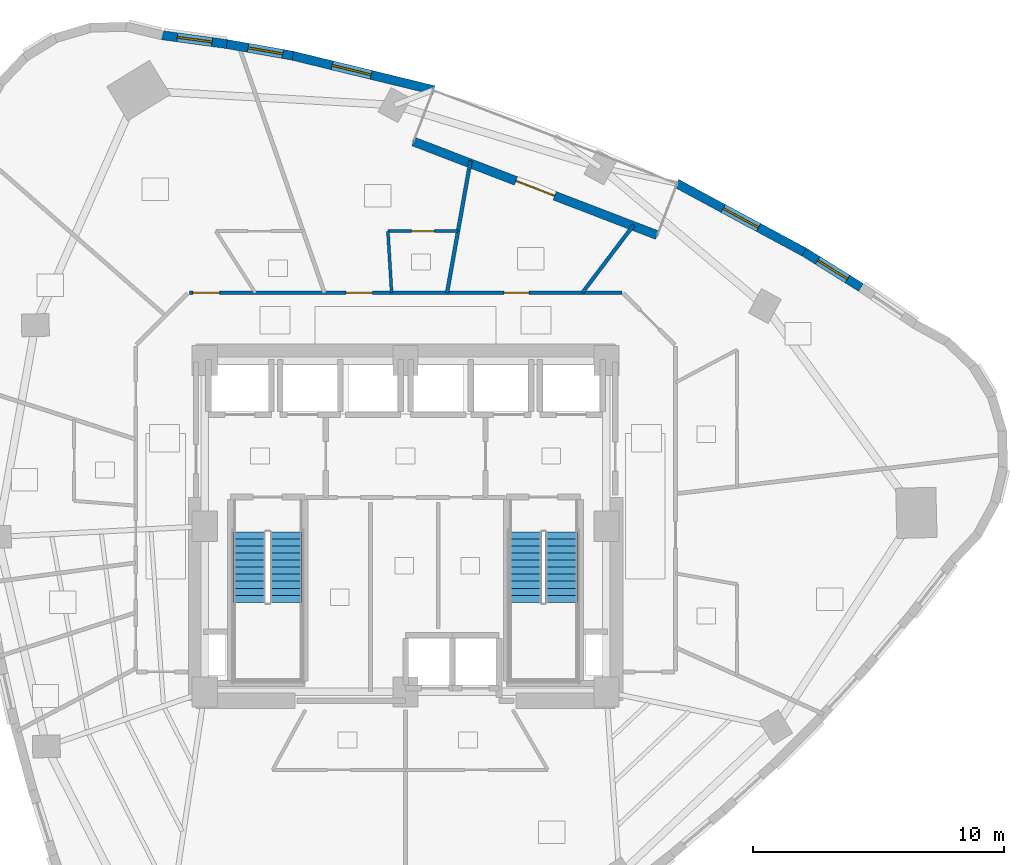
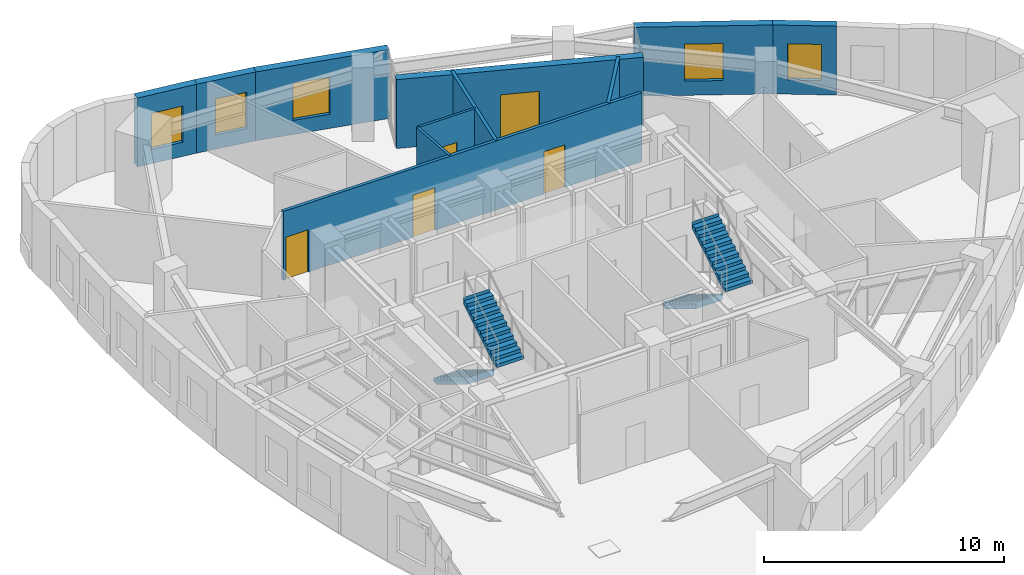
# One storey, part 9 of 12: 11 walls, 5 doors, 5 windows, 4 stair flights, 10 openings, 2 elements without a shape of their own.
"""IFC4 building model written with IfcOpenShell, lengths in metres."""

from ifc_helpers import new_model, si_unit, direction, frame, frame_2d, origin, place, context, subcontext, project, spatial, polyline, rectangle, outline, extrude, material, layer, layer_set, type_object, element, fill, aggregate, save


model = new_model("IFC4")

# Units and contexts
model_context = context("Model", 3, precision=1e-05, world=origin(), true_north=direction((0.0, 1.0)))
body_context = subcontext(model_context, "Body", "Model", "MODEL_VIEW")
ifc_project = project(units=[si_unit("LENGTHUNIT", "METRE"), si_unit("AREAUNIT", "SQUARE_METRE"), si_unit("VOLUMEUNIT", "CUBIC_METRE"), si_unit("PLANEANGLEUNIT", "RADIAN"), si_unit("MASSUNIT", "GRAM", prefix="KILO")], contexts=[model_context])

# Site, building, storey
site_placement = place(None, origin())
site = spatial("IfcSite", under=ifc_project, at=site_placement, CompositionType="ELEMENT")
building_placement = place(site_placement, origin())
building = spatial("IfcBuilding", under=site, at=building_placement, Name="Ndelora Gate Hotel", CompositionType="ELEMENT")
storey_placement = place(building_placement, frame((0.0, 0.0, 161.0)))
storey = spatial("IfcBuildingStorey", under=building, at=storey_placement, Name="L40", CompositionType="ELEMENT", Elevation=161.0)

# Wall, opening, door
ifc_material_1 = material(Name="Clay Brick Masonry", Category="masonry")
ifc_layer_1 = layer(ifc_material_1, 0.360107421875)
ifc_layer_set_1 = layer_set([ifc_layer_1], Name="Clay Brick Masonry")
wall_type_1 = type_object("IfcWallType", Name="WL-BRICK-360", PredefinedType="SOLIDWALL", material=ifc_layer_set_1)
wall_1_placement = place(storey_placement, frame((0.3115234375, 15.32177734375, 0.0), z_axis=(0.0, 0.0, 1.0), x_axis=(0.933571699069, -0.358390684445, 0.0)))
wall_1 = element("IfcWall", 1, at=wall_1_placement, inside=storey, type_object=wall_type_1, Name="L40 Sky-Garden Loggia Rear Brick Wall", PredefinedType="SOLIDWALL", context=body_context, shape_type="SweptSolid", body=[
    extrude(rectangle(XDim=10.400146484375, YDim=0.360107421875, at=frame_2d((5.2001953125, 0.0))), origin(), (0.0, 0.0, 1.0), 3.5),
])
opening_1_placement = place(wall_1_placement, frame((4.375, 0.0, 0.0)))
opening_1 = element("IfcOpeningElement", 2, at=opening_1_placement, cuts=wall_1, Name="Opening TD1", PredefinedType="OPENING", context=body_context, shape_type="SweptSolid", body=[
    extrude(rectangle(XDim=1.64990234375, YDim=2.25, at=frame_2d((0.824951171875, 1.125))), frame((0.0, 0.18994140625, 0.0), z_axis=(0.0, -1.0, 0.0), x_axis=(1.0, 0.0, 0.0)), (0.0, 0.0, 1.0), 0.380126953125),
])
ifc_material_2 = material(Name="Architectural Bronze Glazed Door", Category="metal")
door_type_1 = type_object("IfcDoorType", Name="DR-TER-1650", OperationType="DOUBLE_DOOR_SINGLE_SWING", PredefinedType="DOOR", material=ifc_material_2)
door_1_placement = place(opening_1_placement, origin())
door_1 = element("IfcDoor", 3, at=door_1_placement, inside=storey, type_object=door_type_1, Name="L40 Sky-Garden Terrace Double Door TD1", OperationType="DOUBLE_DOOR_SINGLE_SWING", OverallHeight=2.25, OverallWidth=1.64990234375, PredefinedType="DOOR", context=body_context, shape_type="SweptSolid", body=[
    extrude(rectangle(XDim=1.64990234375, YDim=2.25, at=frame_2d((0.824951171875, 1.125))), frame((0.0, 0.02490234375, 0.0), z_axis=(0.0, -1.0, 0.0), x_axis=(1.0, 0.0, 0.0)), (0.0, 0.0, 1.0), 0.050048828125),
])
fill(opening_1, door_1)

# Wall, opening, window
wall_2_placement = place(storey_placement, frame((15.87451171875, 10.923583984375, 0.0), z_axis=(0.0, 0.0, 1.0), x_axis=(0.848332062802, -0.529464551431, 0.0)))
wall_2 = element("IfcWall", 4, at=wall_2_placement, inside=storey, type_object=wall_type_1, Name="L40 Tower Brick Pier-and-Spandrel Wall TWR-50", PredefinedType="SOLIDWALL", context=body_context, shape_type="SweptSolid", body=[
    extrude(rectangle(XDim=2.669921875, YDim=0.360107421875, at=frame_2d((1.3349609375, 0.0))), origin(), (0.0, 0.0, 1.0), 3.5),
])
opening_2_placement = place(wall_2_placement, frame((0.635009765625, 0.0, 0.719970703125)))
opening_2 = element("IfcOpeningElement", 5, at=opening_2_placement, cuts=wall_2, Name="Opening W02", PredefinedType="OPENING", context=body_context, shape_type="SweptSolid", body=[
    extrude(rectangle(XDim=1.39990234375, YDim=1.840087890625, at=frame_2d((0.699951171875, 0.919921875))), frame((0.0, 0.18994140625, 0.0), z_axis=(0.0, -1.0, 0.0), x_axis=(1.0, 0.0, 0.0)), (0.0, 0.0, 1.0), 0.380126953125),
])
ifc_material_3 = material(Name="Insulated Low-E Double Glazing in Bronze Aluminium Frame", Category="aluminium")
window_type_1 = type_object("IfcWindowType", Name="WN-DEEP-1400", PartitioningType="SINGLE_PANEL", PredefinedType="WINDOW", material=ifc_material_3)
window_1_placement = place(opening_2_placement, origin())
window_1 = element("IfcWindow", 6, at=window_1_placement, inside=storey, type_object=window_type_1, Name="L40 Deep-Set Brick-Pier Window W02", OverallHeight=1.840087890625, OverallWidth=1.39990234375, PartitioningType="SINGLE_PANEL", PredefinedType="WINDOW", context=body_context, shape_type="SweptSolid", body=[
    extrude(rectangle(XDim=1.39990234375, YDim=1.840087890625, at=frame_2d((0.699951171875, 0.919921875))), frame((0.0, 0.030029296875, 0.0), z_axis=(0.0, -1.0, 0.0), x_axis=(1.0, 0.0, 0.0)), (0.0, 0.0, 1.0), 0.06005859375),
])
fill(opening_2, window_1)

wall_3_placement = place(storey_placement, frame((10.787109375, 13.660400390625, 0.0), z_axis=(0.0, 0.0, 1.0), x_axis=(0.880519529696, -0.474009871019, 0.0)))
wall_3 = element("IfcWall", 7, at=wall_3_placement, inside=storey, type_object=wall_type_1, Name="L40 Tower Brick Pier-and-Spandrel Wall TWR-51", PredefinedType="SOLIDWALL", context=body_context, shape_type="SweptSolid", body=[
    extrude(rectangle(XDim=5.826904296875, YDim=0.360107421875, at=frame_2d((2.91357421875, 0.0))), origin(), (0.0, 0.0, 1.0), 3.5),
])
opening_3_placement = place(wall_3_placement, frame((2.11328125, 0.0, 0.719970703125)))
opening_3 = element("IfcOpeningElement", 8, at=opening_3_placement, cuts=wall_3, Name="Opening W01", PredefinedType="OPENING", context=body_context, shape_type="SweptSolid", body=[
    extrude(rectangle(XDim=1.60009765625, YDim=1.8798828125, at=frame_2d((0.800048828125, 0.93994140625))), frame((0.0, 0.18994140625, 0.0), z_axis=(0.0, -1.0, 0.0), x_axis=(1.0, 0.0, 0.0)), (0.0, 0.0, 1.0), 0.380126953125),
])
window_type_2 = type_object("IfcWindowType", Name="WN-DEEP-1600", PartitioningType="SINGLE_PANEL", PredefinedType="WINDOW", material=ifc_material_3)
window_2_placement = place(opening_3_placement, origin())
window_2 = element("IfcWindow", 9, at=window_2_placement, inside=storey, type_object=window_type_2, Name="L40 Deep-Set Brick-Pier Window W01", OverallHeight=1.8798828125, OverallWidth=1.60009765625, PartitioningType="SINGLE_PANEL", PredefinedType="WINDOW", context=body_context, shape_type="SweptSolid", body=[
    extrude(rectangle(XDim=1.60009765625, YDim=1.8798828125, at=frame_2d((0.800048828125, 0.93994140625))), frame((0.0, 0.030029296875, 0.0), z_axis=(0.0, -1.0, 0.0), x_axis=(1.0, 0.0, 0.0)), (0.0, 0.0, 1.0), 0.06005859375),
])
fill(opening_3, window_2)

wall_4_placement = place(storey_placement, frame((-4.536865234375, 18.750244140625, 0.0), z_axis=(0.0, 0.0, 1.0), x_axis=(0.971526219703, -0.236932067122, 0.0)))
wall_4 = element("IfcWall", 10, at=wall_4_placement, inside=storey, type_object=wall_type_1, Name="L40 Tower Brick Pier-and-Spandrel Wall TWR-56", PredefinedType="SOLIDWALL", context=body_context, shape_type="SweptSolid", body=[
    extrude(rectangle(XDim=5.8271484375, YDim=0.360107421875, at=frame_2d((2.91357421875, 0.0))), origin(), (0.0, 0.0, 1.0), 3.5),
])
opening_4_placement = place(wall_4_placement, frame((1.659912109375, 0.0, 0.719970703125)))
opening_4 = element("IfcOpeningElement", 11, at=opening_4_placement, cuts=wall_4, Name="Opening W01", PredefinedType="OPENING", context=body_context, shape_type="SweptSolid", body=[
    extrude(rectangle(XDim=1.60009765625, YDim=1.8798828125, at=frame_2d((0.800048828125, 0.93994140625))), frame((0.0, 0.18994140625, 0.0), z_axis=(0.0, -1.0, 0.0), x_axis=(1.0, 0.0, 0.0)), (0.0, 0.0, 1.0), 0.380126953125),
])
window_3_placement = place(opening_4_placement, origin())
window_3 = element("IfcWindow", 12, at=window_3_placement, inside=storey, type_object=window_type_2, Name="L40 Deep-Set Brick-Pier Window W01", OverallHeight=1.8798828125, OverallWidth=1.60009765625, PartitioningType="SINGLE_PANEL", PredefinedType="WINDOW", context=body_context, shape_type="SweptSolid", body=[
    extrude(rectangle(XDim=1.60009765625, YDim=1.8798828125, at=frame_2d((0.800048828125, 0.93994140625))), frame((0.0, 0.030029296875, 0.0), z_axis=(0.0, -1.0, 0.0), x_axis=(1.0, 0.0, 0.0)), (0.0, 0.0, 1.0), 0.06005859375),
])
fill(opening_4, window_3)

wall_5_placement = place(storey_placement, frame((-7.11669921875, 19.205078125, 0.0), z_axis=(0.0, 0.0, 1.0), x_axis=(0.984708898385, -0.174207879961, 0.0)))
wall_5 = element("IfcWall", 13, at=wall_5_placement, inside=storey, type_object=wall_type_1, Name="L40 Tower Brick Pier-and-Spandrel Wall TWR-57", PredefinedType="SOLIDWALL", context=body_context, shape_type="SweptSolid", body=[
    extrude(rectangle(XDim=2.669677734375, YDim=0.360107421875, at=frame_2d((1.3349609375, 0.0))), origin(), (0.0, 0.0, 1.0), 3.5),
])
opening_5_placement = place(wall_5_placement, frame((0.860107421875, 0.0, 0.719970703125)))
opening_5 = element("IfcOpeningElement", 14, at=opening_5_placement, cuts=wall_5, Name="Opening W02", PredefinedType="OPENING", context=body_context, shape_type="SweptSolid", body=[
    extrude(rectangle(XDim=1.39990234375, YDim=1.840087890625, at=frame_2d((0.699951171875, 0.919921875))), frame((0.0, 0.18994140625, 0.0), z_axis=(0.0, -1.0, 0.0), x_axis=(1.0, 0.0, 0.0)), (0.0, 0.0, 1.0), 0.380126953125),
])
window_4_placement = place(opening_5_placement, origin())
window_4 = element("IfcWindow", 15, at=window_4_placement, inside=storey, type_object=window_type_1, Name="L40 Deep-Set Brick-Pier Window W02", OverallHeight=1.840087890625, OverallWidth=1.39990234375, PartitioningType="SINGLE_PANEL", PredefinedType="WINDOW", context=body_context, shape_type="SweptSolid", body=[
    extrude(rectangle(XDim=1.39990234375, YDim=1.840087890625, at=frame_2d((0.699951171875, 0.919921875))), frame((0.0, 0.030029296875, 0.0), z_axis=(0.0, -1.0, 0.0), x_axis=(1.0, 0.0, 0.0)), (0.0, 0.0, 1.0), 0.06005859375),
])
fill(opening_5, window_4)

wall_6_placement = place(storey_placement, frame((-9.734130859375, 19.562255859375, 0.0), z_axis=(0.0, 0.0, 1.0), x_axis=(0.990763260655, -0.135602954745, 0.0)))
wall_6 = element("IfcWall", 16, at=wall_6_placement, inside=storey, type_object=wall_type_1, Name="L40 Tower Brick Pier-and-Spandrel Wall TWR-58", PredefinedType="SOLIDWALL", context=body_context, shape_type="SweptSolid", body=[
    extrude(rectangle(XDim=2.691650390625, YDim=0.360107421875, at=frame_2d((1.345703125, 0.0))), origin(), (0.0, 0.0, 1.0), 3.5),
])
opening_6_placement = place(wall_6_placement, frame((0.645751953125, 0.0, 0.719970703125)))
opening_6 = element("IfcOpeningElement", 17, at=opening_6_placement, cuts=wall_6, Name="Opening W02", PredefinedType="OPENING", context=body_context, shape_type="SweptSolid", body=[
    extrude(rectangle(XDim=1.39990234375, YDim=1.840087890625, at=frame_2d((0.699951171875, 0.919921875))), frame((0.0, 0.18994140625, 0.0), z_axis=(0.0, -1.0, 0.0), x_axis=(1.0, 0.0, 0.0)), (0.0, 0.0, 1.0), 0.380126953125),
])
window_5_placement = place(opening_6_placement, origin())
window_5 = element("IfcWindow", 18, at=window_5_placement, inside=storey, type_object=window_type_1, Name="L40 Deep-Set Brick-Pier Window W02", OverallHeight=1.840087890625, OverallWidth=1.39990234375, PartitioningType="SINGLE_PANEL", PredefinedType="WINDOW", context=body_context, shape_type="SweptSolid", body=[
    extrude(rectangle(XDim=1.39990234375, YDim=1.840087890625, at=frame_2d((0.699951171875, 0.919921875))), frame((0.0, 0.030029296875, 0.0), z_axis=(0.0, -1.0, 0.0), x_axis=(1.0, 0.0, 0.0)), (0.0, 0.0, 1.0), 0.06005859375),
])
fill(opening_6, window_5)

# Wall, openings, doors
ifc_material_4 = material(Name="Fire-Rated Gypsum Stud Partition", Category="gypsum")
ifc_layer_2 = layer(ifc_material_4, 0.14990234375)
ifc_layer_set_2 = layer_set([ifc_layer_2], Name="Fire-Rated Gypsum Stud Partition")
wall_type_2 = type_object("IfcWallType", Name="WL-PART-150", PredefinedType="PARTITIONING", material=ifc_layer_set_2)
wall_7_placement = place(storey_placement, frame((-8.610107421875, 9.300048828125, 0.0), z_axis=(0.0, 0.0, 1.0), x_axis=(1.0, 0.0, 0.0)))
wall_7 = element("IfcWall", 19, at=wall_7_placement, inside=storey, type_object=wall_type_2, Name="L40 Interior Wall IW-5", PredefinedType="PARTITIONING", context=body_context, shape_type="SweptSolid", body=[
    extrude(rectangle(XDim=17.22021484375, YDim=0.14990234375, at=frame_2d((8.610107421875, 0.0))), origin(), (0.0, 0.0, 1.0), 3.5),
])
opening_7_placement = place(wall_7_placement, frame((12.526611328125, 0.0, 0.0)))
opening_7 = element("IfcOpeningElement", 20, at=opening_7_placement, cuts=wall_7, Name="Opening D01", PredefinedType="OPENING", context=body_context, shape_type="SweptSolid", body=[
    extrude(rectangle(XDim=1.0, YDim=2.14990234375, at=frame_2d((0.5, 1.074951171875))), frame((0.0, 0.0849609375, 0.0), z_axis=(0.0, -1.0, 0.0), x_axis=(1.0, 0.0, 0.0)), (0.0, 0.0, 1.0), 0.169921875),
])
opening_8_placement = place(wall_7_placement, frame((6.231201171875, 0.0, 0.0)))
opening_8 = element("IfcOpeningElement", 21, at=opening_8_placement, cuts=wall_7, Name="Opening D07", PredefinedType="OPENING", context=body_context, shape_type="SweptSolid", body=[
    extrude(rectangle(XDim=1.06005859375, YDim=2.14990234375, at=frame_2d((0.530029296875, 1.074951171875))), frame((0.0, 0.0849609375, 0.0), z_axis=(0.0, -1.0, 0.0), x_axis=(1.0, 0.0, 0.0)), (0.0, 0.0, 1.0), 0.169921875),
])
opening_9_placement = place(wall_7_placement, frame((0.139892578125, 0.0, 0.0)))
opening_9 = element("IfcOpeningElement", 22, at=opening_9_placement, cuts=wall_7, Name="Opening D07", PredefinedType="OPENING", context=body_context, shape_type="SweptSolid", body=[
    extrude(rectangle(XDim=1.06005859375, YDim=2.14990234375, at=frame_2d((0.530029296875, 1.074951171875))), frame((0.0, 0.0849609375, 0.0), z_axis=(0.0, -1.0, 0.0), x_axis=(1.0, 0.0, 0.0)), (0.0, 0.0, 1.0), 0.169921875),
])
ifc_material_5 = material(Name="Acoustic Hardwood Guest Entrance Door", Category="wood")
door_type_2 = type_object("IfcDoorType", Name="DR-COR-1000", OperationType="SINGLE_SWING_LEFT", PredefinedType="DOOR", material=ifc_material_5)
door_2_placement = place(opening_7_placement, origin())
door_2 = element("IfcDoor", 23, at=door_2_placement, inside=storey, type_object=door_type_2, Name="L40 Sky Garden Tea Dining Room Entrance Door", OperationType="SINGLE_SWING_RIGHT", OverallHeight=2.14990234375, OverallWidth=1.0, PredefinedType="DOOR", context=body_context, shape_type="SweptSolid", body=[
    extrude(rectangle(XDim=1.0, YDim=2.14990234375, at=frame_2d((0.5, 1.074951171875))), frame((0.0, 0.02490234375, 0.0), z_axis=(0.0, -1.0, 0.0), x_axis=(1.0, 0.0, 0.0)), (0.0, 0.0, 1.0), 0.050048828125),
])
fill(opening_7, door_2)
ifc_material_6 = material(Name="Diplomatic Suite Acoustic Entrance Door", Category="wood")
door_type_3 = type_object("IfcDoorType", Name="DR-SUITE-1060", OperationType="SINGLE_SWING_LEFT", PredefinedType="DOOR", material=ifc_material_6)
door_3_placement = place(opening_8_placement, origin())
door_3 = element("IfcDoor", 24, at=door_3_placement, inside=storey, type_object=door_type_3, Name="L40 Corner Club Suite 4305 Entrance Door", OperationType="SINGLE_SWING_RIGHT", OverallHeight=2.14990234375, OverallWidth=1.06005859375, PredefinedType="DOOR", context=body_context, shape_type="SweptSolid", body=[
    extrude(rectangle(XDim=1.06005859375, YDim=2.14990234375, at=frame_2d((0.530029296875, 1.074951171875))), frame((0.0, 0.02490234375, 0.0), z_axis=(0.0, -1.0, 0.0), x_axis=(1.0, 0.0, 0.0)), (0.0, 0.0, 1.0), 0.050048828125),
])
fill(opening_8, door_3)
door_4_placement = place(opening_9_placement, origin())
door_4 = element("IfcDoor", 25, at=door_4_placement, inside=storey, type_object=door_type_3, Name="L40 Club Superior Junior Suite 4306 Entrance Door", OperationType="SINGLE_SWING_LEFT", OverallHeight=2.14990234375, OverallWidth=1.06005859375, PredefinedType="DOOR", context=body_context, shape_type="SweptSolid", body=[
    extrude(rectangle(XDim=1.06005859375, YDim=2.14990234375, at=frame_2d((0.530029296875, 1.074951171875))), frame((0.0, 0.02490234375, 0.0), z_axis=(0.0, -1.0, 0.0), x_axis=(1.0, 0.0, 0.0)), (0.0, 0.0, 1.0), 0.050048828125),
])
fill(opening_9, door_4)

# Walls
wall_8_placement = place(storey_placement, frame((7.040283203125, 9.300048828125, 0.0), z_axis=(0.0, 0.0, 1.0), x_axis=(0.603559151409, 0.797318224268, 0.0)))
element("IfcWall", 26, at=wall_8_placement, inside=storey, type_object=wall_type_2, Name="L40 Interior Wall IW-5", PredefinedType="PARTITIONING", context=body_context, shape_type="SweptSolid", body=[
    extrude(rectangle(XDim=3.3857421875, YDim=0.14990234375, at=frame_2d((1.69287109375, 0.0))), origin(), (0.0, 0.0, 1.0), 3.5),
])
wall_9_placement = place(storey_placement, frame((1.652099609375, 9.300048828125, 0.0), z_axis=(0.0, 0.0, 1.0), x_axis=(0.1749308498, 0.984580721824, 0.0)))
element("IfcWall", 27, at=wall_9_placement, inside=storey, type_object=wall_type_2, Name="L40 Interior Wall IW-5", PredefinedType="PARTITIONING", context=body_context, shape_type="SweptSolid", body=[
    extrude(rectangle(XDim=5.3369140625, YDim=0.14990234375, at=frame_2d((2.66845703125, 0.0))), origin(), (0.0, 0.0, 1.0), 3.5),
])
ifc_material_7 = material(Name="Moisture-Resistant Bathroom Tile Partition", Category="gypsum")
ifc_layer_3 = layer(ifc_material_7, 0.1201171875)
ifc_layer_set_3 = layer_set([ifc_layer_3], Name="Moisture-Resistant Bathroom Tile Partition")
wall_type_3 = type_object("IfcWallType", Name="WL-WET-120", PredefinedType="PARTITIONING", material=ifc_layer_set_3)
wall_10_placement = place(storey_placement, frame((-0.556884765625, 9.300048828125, 0.0), z_axis=(0.0, 0.0, 1.0), x_axis=(-0.059684144244, 0.998217312476, 0.0)))
element("IfcWall", 28, at=wall_10_placement, inside=storey, type_object=wall_type_3, Name="L40 Interior Wall IW-7", PredefinedType="PARTITIONING", context=body_context, shape_type="SweptSolid", body=[
    extrude(rectangle(XDim=2.454345703125, YDim=0.1201171875, at=frame_2d((1.22705078125, 0.0))), origin(), (0.0, 0.0, 1.0), 3.5),
])

# Wall, opening, door
wall_11_placement = place(storey_placement, frame((-0.703369140625, 11.75, 0.0), z_axis=(0.0, 0.0, 1.0), x_axis=(1.0, 0.0, 0.0)))
wall_11 = element("IfcWall", 29, at=wall_11_placement, inside=storey, type_object=wall_type_3, Name="L40 Interior Wall IW-7", PredefinedType="PARTITIONING", context=body_context, shape_type="SweptSolid", body=[
    extrude(rectangle(XDim=2.790771484375, YDim=0.1201171875, at=frame_2d((1.3955078125, 0.0))), origin(), (0.0, 0.0, 1.0), 3.5),
])
opening_10_placement = place(wall_11_placement, frame((0.935302734375, 0.0, 0.0)))
opening_10 = element("IfcOpeningElement", 30, at=opening_10_placement, cuts=wall_11, Name="Opening D03", PredefinedType="OPENING", context=body_context, shape_type="SweptSolid", body=[
    extrude(rectangle(XDim=0.919921875, YDim=2.10009765625, at=frame_2d((0.4599609375, 1.050048828125))), frame((0.0, 0.070068359375, 0.0), z_axis=(0.0, -1.0, 0.0), x_axis=(1.0, 0.0, 0.0)), (0.0, 0.0, 1.0), 0.14013671875),
])
ifc_material_8 = material(Name="Moisture-Resistant Hardwood En-Suite Door", Category="wood")
door_type_4 = type_object("IfcDoorType", Name="DR-BATH-920", OperationType="SINGLE_SWING_LEFT", PredefinedType="DOOR", material=ifc_material_8)
door_5_placement = place(opening_10_placement, origin())
door_5 = element("IfcDoor", 31, at=door_5_placement, inside=storey, type_object=door_type_4, Name="L40 En-suite Bathroom 4305 Door", OperationType="SINGLE_SWING_RIGHT", OverallHeight=2.10009765625, OverallWidth=0.919921875, PredefinedType="DOOR", context=body_context, shape_type="SweptSolid", body=[
    extrude(rectangle(XDim=0.919921875, YDim=2.10009765625, at=frame_2d((0.4599609375, 1.050048828125))), frame((0.0, 0.02490234375, 0.0), z_axis=(0.0, -1.0, 0.0), x_axis=(1.0, 0.0, 0.0)), (0.0, 0.0, 1.0), 0.050048828125),
])
fill(opening_10, door_5)

# Stair, stair flights
ifc_material_9 = material(Name="Precast concrete C40/50", Category="concrete")
stair_type = type_object("IfcStairType", Name="STR-DOG-CORE", PredefinedType="HALF_TURN_STAIR", material=ifc_material_9)
stair_1_placement = place(storey_placement, origin())
stair_1 = element("IfcStair", 32, at=stair_1_placement, inside=storey, type_object=stair_type, Name="L40 Protected Core Exit Stair ST4", PredefinedType="HALF_TURN_STAIR")
stair_flight_type = type_object("IfcStairFlightType", Name="STF-PRECAST", PredefinedType="STRAIGHT", material=ifc_material_9)
stair_flight_1_placement = place(storey_placement, frame((-6.2099609375, -0.22998046875, 0.0), z_axis=(0.0, 0.0, 1.0), x_axis=(0.0, -1.0, 0.0)))
stair_flight_1 = element("IfcStairFlight", 33, at=stair_flight_1_placement, type_object=stair_flight_type, Name="ST4 flight 1", NumberOfRisers=11, NumberOfTreads=10, PredefinedType="STRAIGHT", RiserHeight=0.170454545, TreadLength=0.28, context=body_context, shape_type="SweptSolid", body=[
    extrude(outline(polyline([(-0.00048828125, 0.0), (-0.00048828125, 0.17041015625), (0.0, 0.17041015625), (0.280029296875, 0.17041015625), (0.280029296875, 0.3408203125), (0.56005859375, 0.3408203125), (0.56005859375, 0.511474609375), (0.840087890625, 0.511474609375), (0.840087890625, 0.681884765625), (1.1201171875, 0.681884765625), (1.1201171875, 0.852294921875), (1.39990234375, 0.852294921875), (1.39990234375, 1.022705078125), (1.679931640625, 1.022705078125), (1.679931640625, 1.193115234375), (1.9599609375, 1.193115234375), (1.9599609375, 1.363525390625), (2.239990234375, 1.363525390625), (2.239990234375, 1.5341796875), (2.52001953125, 1.5341796875), (2.52001953125, 1.70458984375), (2.800048828125, 1.70458984375), (2.800048828125, 1.875), (2.800537109375, 1.875), (2.800537109375, 1.695068359375), (2.800048828125, 1.529052734375), (0.288330078125, 0.0), (-0.00048828125, 0.0)])), frame((0.0, 0.64013671875, 0.0), z_axis=(0.0, -1.0, 0.0), x_axis=(1.0, 0.0, 0.0)), (0.0, 0.0, 1.0), 1.280029296875),
])
stair_flight_2_placement = place(storey_placement, frame((-4.77001953125, -3.030029296875, 1.875), z_axis=(0.0, 0.0, 1.0), x_axis=(0.0, 1.0, 0.0)))
stair_flight_2 = element("IfcStairFlight", 34, at=stair_flight_2_placement, type_object=stair_flight_type, Name="ST4 flight 2", NumberOfRisers=11, NumberOfTreads=10, PredefinedType="STRAIGHT", RiserHeight=0.170454545, TreadLength=0.28, context=body_context, shape_type="SweptSolid", body=[
    extrude(outline(polyline([(-0.00048828125, 0.0), (-0.00048828125, 0.17041015625), (0.0, 0.17041015625), (0.280029296875, 0.17041015625), (0.280029296875, 0.3408203125), (0.56005859375, 0.3408203125), (0.56005859375, 0.511474609375), (0.840087890625, 0.511474609375), (0.840087890625, 0.681884765625), (1.1201171875, 0.681884765625), (1.1201171875, 0.852294921875), (1.39990234375, 0.852294921875), (1.39990234375, 1.022705078125), (1.679931640625, 1.022705078125), (1.679931640625, 1.193115234375), (1.9599609375, 1.193115234375), (1.9599609375, 1.363525390625), (2.239990234375, 1.363525390625), (2.239990234375, 1.5341796875), (2.52001953125, 1.5341796875), (2.52001953125, 1.70458984375), (2.800048828125, 1.70458984375), (2.800048828125, 1.875), (2.800537109375, 1.875), (2.800537109375, 1.695068359375), (2.800048828125, 1.529052734375), (0.288330078125, 0.0), (-0.00048828125, 0.0)])), frame((0.0, 0.64013671875, 0.0), z_axis=(0.0, -1.0, 0.0), x_axis=(1.0, 0.0, 0.0)), (0.0, 0.0, 1.0), 1.280029296875),
])
aggregate(stair_1, [stair_flight_1, stair_flight_2])

stair_2_placement = place(storey_placement, origin())
stair_2 = element("IfcStair", 35, at=stair_2_placement, inside=storey, type_object=stair_type, Name="L40 Protected Core Exit Stair ST5", PredefinedType="HALF_TURN_STAIR")
stair_flight_3_placement = place(storey_placement, frame((4.77001953125, -0.22998046875, 0.0), z_axis=(0.0, 0.0, 1.0), x_axis=(0.0, -1.0, 0.0)))
stair_flight_3 = element("IfcStairFlight", 36, at=stair_flight_3_placement, type_object=stair_flight_type, Name="ST5 flight 1", NumberOfRisers=11, NumberOfTreads=10, PredefinedType="STRAIGHT", RiserHeight=0.170454545, TreadLength=0.28, context=body_context, shape_type="SweptSolid", body=[
    extrude(outline(polyline([(-0.00048828125, 0.0), (-0.00048828125, 0.17041015625), (0.0, 0.17041015625), (0.280029296875, 0.17041015625), (0.280029296875, 0.3408203125), (0.56005859375, 0.3408203125), (0.56005859375, 0.511474609375), (0.840087890625, 0.511474609375), (0.840087890625, 0.681884765625), (1.1201171875, 0.681884765625), (1.1201171875, 0.852294921875), (1.39990234375, 0.852294921875), (1.39990234375, 1.022705078125), (1.679931640625, 1.022705078125), (1.679931640625, 1.193115234375), (1.9599609375, 1.193115234375), (1.9599609375, 1.363525390625), (2.239990234375, 1.363525390625), (2.239990234375, 1.5341796875), (2.52001953125, 1.5341796875), (2.52001953125, 1.70458984375), (2.800048828125, 1.70458984375), (2.800048828125, 1.875), (2.800537109375, 1.875), (2.800537109375, 1.695068359375), (2.800048828125, 1.529052734375), (0.288330078125, 0.0), (-0.00048828125, 0.0)])), frame((0.0, 0.64013671875, 0.0), z_axis=(0.0, -1.0, 0.0), x_axis=(1.0, 0.0, 0.0)), (0.0, 0.0, 1.0), 1.280029296875),
])
stair_flight_4_placement = place(storey_placement, frame((6.2099609375, -3.030029296875, 1.875), z_axis=(0.0, 0.0, 1.0), x_axis=(0.0, 1.0, 0.0)))
stair_flight_4 = element("IfcStairFlight", 37, at=stair_flight_4_placement, type_object=stair_flight_type, Name="ST5 flight 2", NumberOfRisers=11, NumberOfTreads=10, PredefinedType="STRAIGHT", RiserHeight=0.170454545, TreadLength=0.28, context=body_context, shape_type="SweptSolid", body=[
    extrude(outline(polyline([(-0.00048828125, 0.0), (-0.00048828125, 0.17041015625), (0.0, 0.17041015625), (0.280029296875, 0.17041015625), (0.280029296875, 0.3408203125), (0.56005859375, 0.3408203125), (0.56005859375, 0.511474609375), (0.840087890625, 0.511474609375), (0.840087890625, 0.681884765625), (1.1201171875, 0.681884765625), (1.1201171875, 0.852294921875), (1.39990234375, 0.852294921875), (1.39990234375, 1.022705078125), (1.679931640625, 1.022705078125), (1.679931640625, 1.193115234375), (1.9599609375, 1.193115234375), (1.9599609375, 1.363525390625), (2.239990234375, 1.363525390625), (2.239990234375, 1.5341796875), (2.52001953125, 1.5341796875), (2.52001953125, 1.70458984375), (2.800048828125, 1.70458984375), (2.800048828125, 1.875), (2.800537109375, 1.875), (2.800537109375, 1.695068359375), (2.800048828125, 1.529052734375), (0.288330078125, 0.0), (-0.00048828125, 0.0)])), frame((0.0, 0.64013671875, 0.0), z_axis=(0.0, -1.0, 0.0), x_axis=(1.0, 0.0, 0.0)), (0.0, 0.0, 1.0), 1.280029296875),
])
aggregate(stair_2, [stair_flight_3, stair_flight_4])

save(model, "model.ifc")
